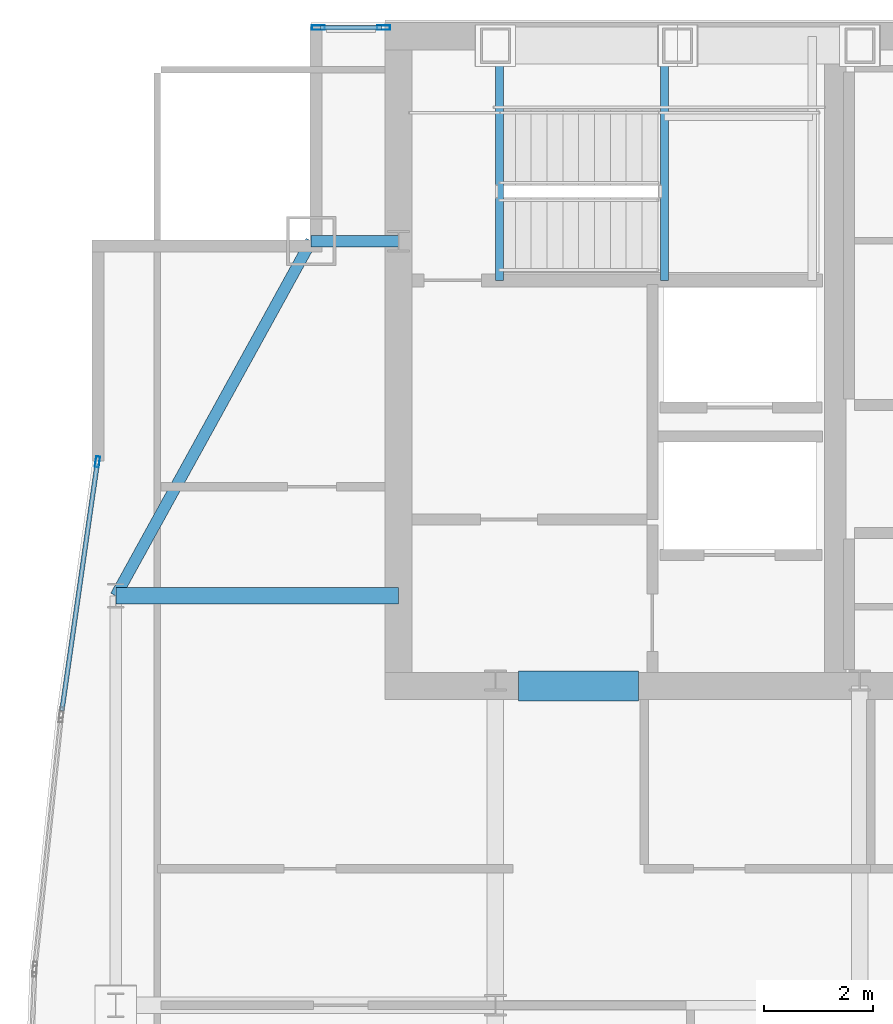
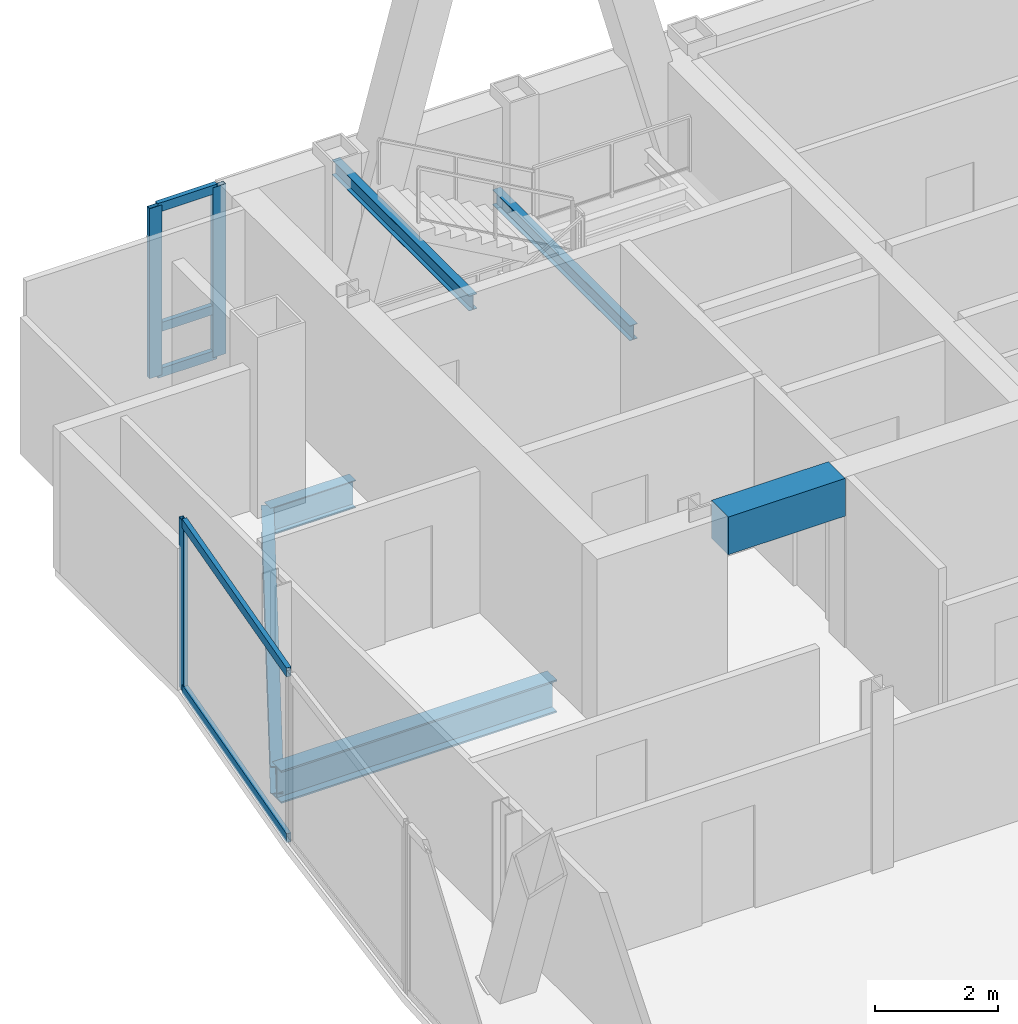
# One storey, part 20 of 29: 8 members, 6 beams, 2 elements without a shape of their own.
"""IFC4 building model written with IfcOpenShell, lengths in metres."""

from ifc_helpers import new_model, si_unit, direction, frame, origin, origin_2d, place, context, subcontext, project, spatial, rectangle, hollow_rectangle, i_section, extrude, material, material_profile, profile_set, type_object, element, aggregate, save


model = new_model("IFC4")

# Units and contexts
model_context = context("Model", 3, precision=1e-05, world=origin(), true_north=direction((0.0, 1.0)))
body_context = subcontext(model_context, "Body", "Model", "MODEL_VIEW")
ifc_project = project(units=[si_unit("LENGTHUNIT", "METRE"), si_unit("AREAUNIT", "SQUARE_METRE"), si_unit("VOLUMEUNIT", "CUBIC_METRE"), si_unit("PLANEANGLEUNIT", "RADIAN"), si_unit("MASSUNIT", "GRAM", prefix="KILO")], contexts=[model_context])

# Site, building, storey
site_placement = place(None, origin())
site = spatial("IfcSite", under=ifc_project, at=site_placement, CompositionType="ELEMENT")
building_placement = place(site_placement, origin())
building = spatial("IfcBuilding", under=site, at=building_placement, Name="Khoronbel Lancet Exchange", CompositionType="ELEMENT")
storey_placement = place(building_placement, frame((0.0, 0.0, 302.199951171875)))
storey = spatial("IfcBuildingStorey", under=building, at=storey_placement, Name="L78", CompositionType="ELEMENT", Elevation=302.199951171875)

# Beams
ifc_material_1 = material(Name="Steel S355", Category="steel")
ifc_material_profile_1 = material_profile(ifc_material_1, i_section(OverallWidth=0.300048828125, OverallDepth=0.64990234375, WebThickness=0.01611328125, FlangeThickness=0.031005859375, at=origin_2d()), Name="HEB 650")
ifc_profile_set_1 = profile_set([ifc_material_profile_1], Name="Steel S355")
beam_type_1 = type_object("IfcBeamType", Name="BM-BG4", PredefinedType="BEAM", material=ifc_profile_set_1)
beam_1_placement = place(storey_placement, frame((11.27001953125, 43.199951171875, -0.48486328125), z_axis=(1.0, 0.0, 0.0), x_axis=(0.0, 1.0, 0.0)))
element("IfcBeam", 1, at=beam_1_placement, inside=storey, type_object=beam_type_1, Name="Level L78 west lens tie girder LG3W", PredefinedType="BEAM", context=body_context, shape_type="SweptSolid", body=[
    extrude(i_section(OverallWidth=0.300048828125, OverallDepth=0.64990234375, WebThickness=0.01611328125, FlangeThickness=0.031005859375, at=origin_2d()), origin(), (0.0, 0.0, 1.0), 5.179931640625),
])
ifc_material_profile_2 = material_profile(ifc_material_1, i_section(OverallWidth=0.14990234375, OverallDepth=0.300048828125, WebThickness=0.007080078125, FlangeThickness=0.0107421875, at=origin_2d()), Name="IPE 300")
ifc_profile_set_2 = profile_set([ifc_material_profile_2], Name="Steel S355")
beam_type_2 = type_object("IfcBeamType", Name="BM-BJ8", PredefinedType="JOIST", material=ifc_profile_set_2)
for number, where, z_axis, x_axis, name in (
    (2, (21.320068359375, 48.97998046875, 1.449951171875), (0.0, 1.0, 0.0), (-1.0, 0.0, 0.0), "Level L78 stair ST1 landing bearer beam 1"),
    (3, (18.300048828125, 48.97998046875, 3.10009765625), (0.0, 1.0, 0.0), (-1.0, 0.0, 0.0), "Level L78 stair ST1 upper-flight arrival trimmer beam"),
):
    element("IfcBeam", number, at=place(storey_placement, frame(where, z_axis=z_axis, x_axis=x_axis)), inside=storey, type_object=beam_type_2, Name=name, PredefinedType="JOIST", context=body_context, shape_type="SweptSolid", body=[
        extrude(i_section(OverallWidth=0.14990234375, OverallDepth=0.300048828125, WebThickness=0.007080078125, FlangeThickness=0.0107421875, at=origin_2d()), origin(), (0.0, 0.0, 1.0), 4.469970703125),
    ])
ifc_material_2 = material(Name="Concrete C60/75", Category="concrete")
ifc_material_profile_3 = material_profile(ifc_material_2, rectangle(XDim=0.550048828125, YDim=0.75, at=origin_2d()), Name="RC 550x750")
ifc_profile_set_3 = profile_set([ifc_material_profile_3], Name="Concrete C60/75")
beam_type_3 = type_object("IfcBeamType", Name="BM-BL2", PredefinedType="LINTEL", material=ifc_profile_set_3)
beam_2_placement = place(storey_placement, frame((18.64990234375, 41.550048828125, 3.005126953125), z_axis=(1.0, 0.0, 0.0), x_axis=(0.0, 1.0, 0.0)))
element("IfcBeam", 4, at=beam_2_placement, inside=storey, type_object=beam_type_3, Name="Level L78 rear core coupling lintel L1", PredefinedType="LINTEL", context=body_context, shape_type="SweptSolid", body=[
    extrude(rectangle(XDim=0.550048828125, YDim=0.75, at=origin_2d()), origin(), (0.0, 0.0, 1.0), 2.2001953125),
])
ifc_material_profile_4 = material_profile(ifc_material_1, i_section(OverallWidth=0.2099609375, OverallDepth=0.550048828125, WebThickness=0.010986328125, FlangeThickness=0.01708984375, at=origin_2d()), Name="IPE 550")
ifc_profile_set_4 = profile_set([ifc_material_profile_4], Name="Steel S355")
beam_type_4 = type_object("IfcBeamType", Name="BM-BSP3", PredefinedType="SPANDREL", material=ifc_profile_set_4)
beam_3_placement = place(storey_placement, frame((14.85009765625, 49.699951171875, -0.43505859375), z_axis=(-0.482444051088, -0.875926787791, 0.0), x_axis=(0.875926787791, -0.482444051088, 0.0)))
element("IfcBeam", 5, at=beam_3_placement, inside=storey, type_object=beam_type_4, Name="Level L78 perimeter spandrel beam SP16", PredefinedType="SPANDREL", context=body_context, shape_type="SweptSolid", body=[
    extrude(i_section(OverallWidth=0.2099609375, OverallDepth=0.550048828125, WebThickness=0.010986328125, FlangeThickness=0.01708984375, at=origin_2d()), origin(), (0.0, 0.0, 1.0), 7.420654296875),
])
beam_4_placement = place(storey_placement, frame((14.85009765625, 49.699951171875, -0.43505859375), z_axis=(1.0, 0.0, 0.0), x_axis=(0.0, 1.0, 0.0)))
element("IfcBeam", 6, at=beam_4_placement, inside=storey, type_object=beam_type_4, Name="Level L78 north flank tie spandrel SP22", PredefinedType="SPANDREL", context=body_context, shape_type="SweptSolid", body=[
    extrude(i_section(OverallWidth=0.2099609375, OverallDepth=0.550048828125, WebThickness=0.010986328125, FlangeThickness=0.01708984375, at=origin_2d()), origin(), (0.0, 0.0, 1.0), 1.599853515625),
])

# Curtain wall, members
ifc_material_3 = material(Name="Low-E Solar Control Insulating Glass", Category="glass")
curtain_wall_type_1 = type_object("IfcCurtainWallType", Name="CW-3", PredefinedType="NOTDEFINED", material=ifc_material_3)
curtain_wall_1_placement = place(storey_placement, origin())
curtain_wall_1 = element("IfcCurtainWall", 7, at=curtain_wall_1_placement, inside=storey, type_object=curtain_wall_type_1, Name="Unitised curtain wall CW-L78-NWFLK", PredefinedType="NOTDEFINED")
ifc_material_4 = material(Name="Bronze-Anodised Aluminium 6063-T6", Category="aluminium")
ifc_material_profile_5 = material_profile(ifc_material_4, hollow_rectangle(XDim=0.0849609375, YDim=0.239990234375, WallThickness=0.006103515625, at=origin_2d()), Name="ALU MULLION 85x240")
ifc_profile_set_5 = profile_set([ifc_material_profile_5], Name="Bronze-Anodised Aluminium 6063-T6")
member_type_1 = type_object("IfcMemberType", Name="MEM-CWM1", PredefinedType="MULLION", material=ifc_profile_set_5)
member_1_placement = place(storey_placement, frame((16.177490234375, 53.610107421875, 0.0), z_axis=(0.0, 0.0, 1.0), x_axis=(0.0, -1.0, 0.0)))
member_1 = element("IfcMember", 8, at=member_1_placement, type_object=member_type_1, Name="CW3 mullion 1", PredefinedType="MULLION", context=body_context, shape_type="SweptSolid", body=[
    extrude(hollow_rectangle(XDim=0.0849609375, YDim=0.239990234375, WallThickness=0.006103515625, at=origin_2d()), origin(), (0.0, 0.0, 1.0), 3.380126953125),
])
member_2_placement = place(storey_placement, frame((14.982421875, 53.610107421875, 0.0), z_axis=(0.0, 0.0, 1.0), x_axis=(0.0, -1.0, 0.0)))
member_2 = element("IfcMember", 9, at=member_2_placement, type_object=member_type_1, Name="CW3 mullion 2", PredefinedType="MULLION", context=body_context, shape_type="SweptSolid", body=[
    extrude(hollow_rectangle(XDim=0.0849609375, YDim=0.239990234375, WallThickness=0.006103515625, at=origin_2d()), origin(), (0.0, 0.0, 1.0), 3.380126953125),
])

curtain_wall_type_2 = type_object("IfcCurtainWallType", Name="CW-4", PredefinedType="NOTDEFINED", material=ifc_material_3)
curtain_wall_2_placement = place(storey_placement, origin())
curtain_wall_2 = element("IfcCurtainWall", 10, at=curtain_wall_2_placement, inside=storey, type_object=curtain_wall_type_2, Name="Unitised curtain wall CW-L78-E09", PredefinedType="NOTDEFINED")
ifc_material_profile_6 = material_profile(ifc_material_4, hollow_rectangle(XDim=0.074951171875, YDim=0.199951171875, WallThickness=0.0048828125, at=origin_2d()), Name="ALU MULLION 75x200")
ifc_profile_set_6 = profile_set([ifc_material_profile_6], Name="Bronze-Anodised Aluminium 6063-T6")
member_type_2 = type_object("IfcMemberType", Name="MEM-CWM2", PredefinedType="MULLION", material=ifc_profile_set_6)
member_3_placement = place(storey_placement, frame((10.9345703125, 45.656494140625, 0.0), z_axis=(0.0, 0.0, 1.0), x_axis=(-0.989929988267, 0.141557826802, 0.0)))
member_3 = element("IfcMember", 11, at=member_3_placement, type_object=member_type_2, Name="CW4 mullion 2", PredefinedType="MULLION", context=body_context, shape_type="SweptSolid", body=[
    extrude(hollow_rectangle(XDim=0.074951171875, YDim=0.199951171875, WallThickness=0.0048828125, at=origin_2d()), origin(), (0.0, 0.0, 1.0), 3.380126953125),
])
ifc_material_profile_7 = material_profile(ifc_material_4, hollow_rectangle(XDim=0.0849609375, YDim=0.179931640625, WallThickness=0.0048828125, at=origin_2d()), Name="ALU TRANSOM 85x180")
ifc_profile_set_7 = profile_set([ifc_material_profile_7], Name="Bronze-Anodised Aluminium 6063-T6")
member_type_3 = type_object("IfcMemberType", Name="MEM-CWT1", PredefinedType="USERDEFINED", material=ifc_profile_set_7)
member_4_placement = place(storey_placement, frame((10.28271484375, 41.096435546875, 0.04248046875), z_axis=(0.141548529665, 0.989931317693, 0.0), x_axis=(-0.989931317693, 0.141548529665, 0.0)))
member_4 = element("IfcMember", 12, at=member_4_placement, type_object=member_type_3, Name="CW4 transom 1.1", ObjectType="TRANSOM", PredefinedType="USERDEFINED", context=body_context, shape_type="SweptSolid", body=[
    extrude(hollow_rectangle(XDim=0.0849609375, YDim=0.179931640625, WallThickness=0.0048828125, at=origin_2d()), origin(), (0.0, 0.0, 1.0), 4.56884765625),
])
member_5_placement = place(storey_placement, frame((10.28271484375, 41.096435546875, 3.337646484375), z_axis=(0.141548529665, 0.989931317693, 0.0), x_axis=(-0.989931317693, 0.141548529665, 0.0)))
member_5 = element("IfcMember", 13, at=member_5_placement, type_object=member_type_3, Name="CW4 transom 1.2", ObjectType="TRANSOM", PredefinedType="USERDEFINED", context=body_context, shape_type="SweptSolid", body=[
    extrude(hollow_rectangle(XDim=0.0849609375, YDim=0.179931640625, WallThickness=0.0048828125, at=origin_2d()), origin(), (0.0, 0.0, 1.0), 4.56884765625),
])
aggregate(curtain_wall_2, [member_3, member_4, member_5])

# Member
member_6_placement = place(storey_placement, frame((16.135009765625, 53.610107421875, 0.04248046875), z_axis=(-1.0, 0.0, 0.0), x_axis=(0.0, -1.0, 0.0)))
member_6 = element("IfcMember", 14, at=member_6_placement, type_object=member_type_3, Name="CW3 transom 1.1", ObjectType="TRANSOM", PredefinedType="USERDEFINED", context=body_context, shape_type="SweptSolid", body=[
    extrude(hollow_rectangle(XDim=0.0849609375, YDim=0.179931640625, WallThickness=0.0048828125, at=origin_2d()), origin(), (0.0, 0.0, 1.0), 1.110107421875),
])

member_7_placement = place(storey_placement, frame((16.135009765625, 53.610107421875, 0.949951171875), z_axis=(-1.0, 0.0, 0.0), x_axis=(0.0, -1.0, 0.0)))
member_7 = element("IfcMember", 15, at=member_7_placement, type_object=member_type_3, Name="CW3 transom 1.2", ObjectType="TRANSOM", PredefinedType="USERDEFINED", context=body_context, shape_type="SweptSolid", body=[
    extrude(hollow_rectangle(XDim=0.0849609375, YDim=0.179931640625, WallThickness=0.0048828125, at=origin_2d()), origin(), (0.0, 0.0, 1.0), 1.110107421875),
])

member_8_placement = place(storey_placement, frame((16.135009765625, 53.610107421875, 3.337646484375), z_axis=(-1.0, 0.0, 0.0), x_axis=(0.0, -1.0, 0.0)))
member_8 = element("IfcMember", 16, at=member_8_placement, type_object=member_type_3, Name="CW3 transom 1.3", ObjectType="TRANSOM", PredefinedType="USERDEFINED", context=body_context, shape_type="SweptSolid", body=[
    extrude(hollow_rectangle(XDim=0.0849609375, YDim=0.179931640625, WallThickness=0.0048828125, at=origin_2d()), origin(), (0.0, 0.0, 1.0), 1.110107421875),
])

aggregate(curtain_wall_1, [member_1, member_2, member_6, member_7, member_8])

save(model, "model.ifc")
